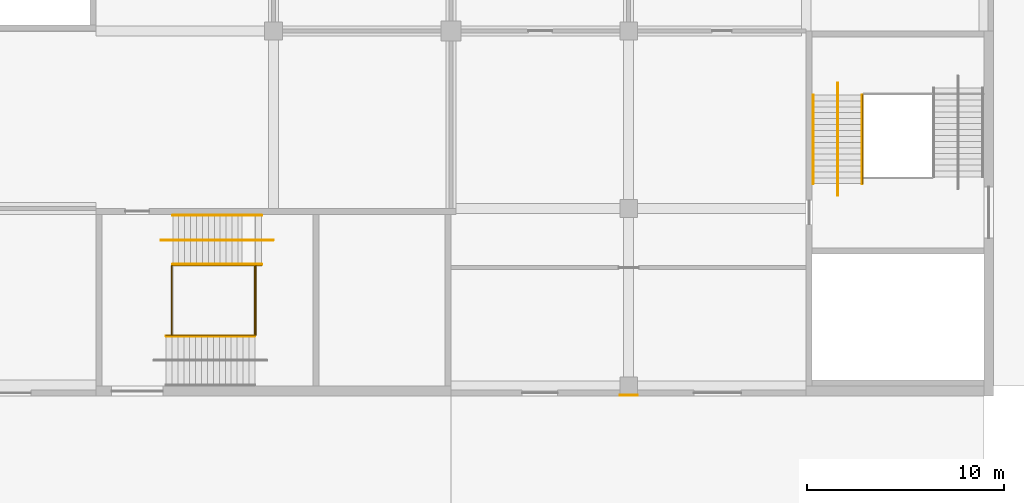
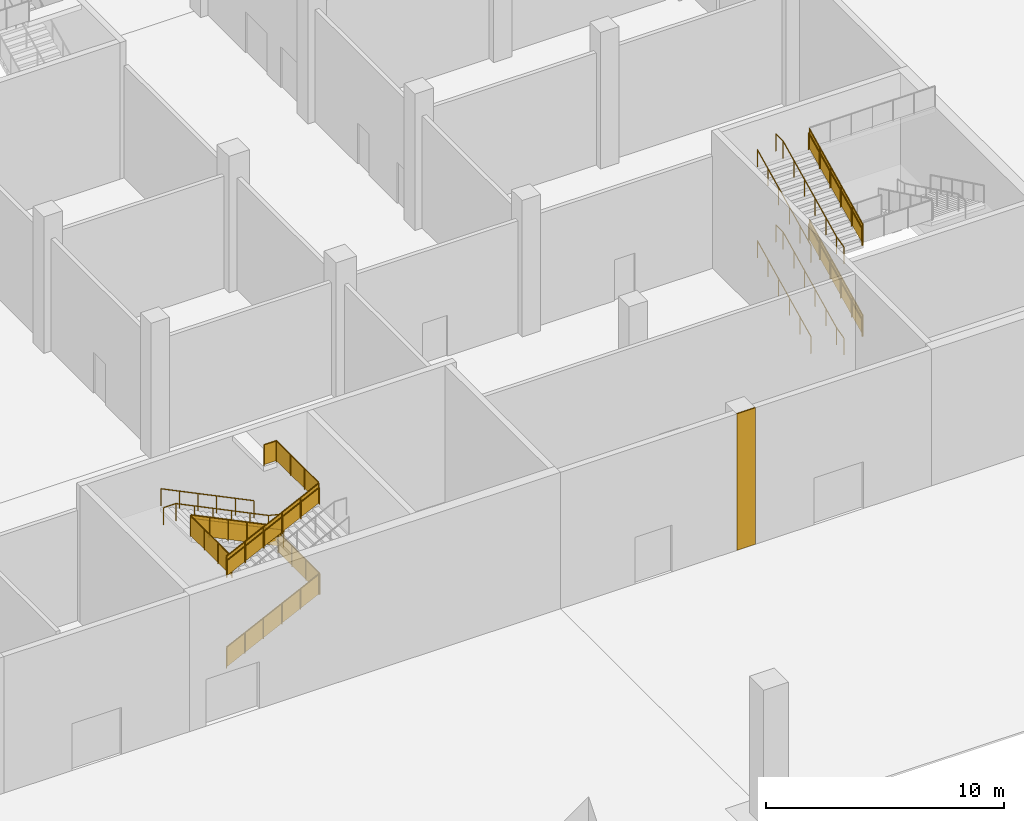
# One storey, part 73 of 92: 18 railings, 1 covering.
"""IFC4 building model written with IfcOpenShell, lengths in metres."""

from ifc_helpers import new_model, si_unit, direction, frame, origin, origin_2d, place, context, subcontext, project, spatial, polyline, circle, outline, extrude, material, layer, layer_set, type_object, element, save


model = new_model("IFC4")

# Units and contexts
model_context = context("Model", 3, precision=1e-05, world=origin(), true_north=direction((0.0, 1.0)))
body_context = subcontext(model_context, "Body", "Model", "MODEL_VIEW")
ifc_project = project(units=[si_unit("LENGTHUNIT", "METRE"), si_unit("AREAUNIT", "SQUARE_METRE"), si_unit("VOLUMEUNIT", "CUBIC_METRE"), si_unit("PLANEANGLEUNIT", "RADIAN"), si_unit("MASSUNIT", "GRAM", prefix="KILO")], contexts=[model_context])

# Site, building, storey
site_placement = place(None, origin())
site = spatial("IfcSite", under=ifc_project, at=site_placement, CompositionType="ELEMENT")
building_placement = place(site_placement, origin())
building = spatial("IfcBuilding", under=site, at=building_placement, Name="Silverbay Arena", CompositionType="ELEMENT")
storey_placement = place(building_placement, origin())
storey = spatial("IfcBuildingStorey", under=building, at=storey_placement, Name="L00", CompositionType="ELEMENT", Elevation=0.0)

# Covering
ifc_material_1 = material(Name="Aluminium composite cladding", Category="aluminium")
ifc_layer = layer(ifc_material_1, 0.050048828125)
ifc_layer_set = layer_set([ifc_layer], Name="Aluminium composite cladding")
covering_type = type_object("IfcCoveringType", Name="Column cladding 50", PredefinedType="CLADDING", material=ifc_layer_set)
covering_placement = place(storey_placement, origin())
element("IfcCovering", 1, at=covering_placement, inside=storey, type_object=covering_type, Name="South column cladding L00 61", PredefinedType="CLADDING", context=body_context, shape_type="SweptSolid", body=[
    extrude(outline(polyline([(215.550048828125, 17.5), (216.449951171875, 17.5), (216.449951171875, 17.550048828125), (215.550048828125, 17.550048828125), (215.550048828125, 17.5)])), origin(), (0.0, 0.0, 1.0), 7.0),
])

# Railings
ifc_material_2 = material(Name="Stainless steel", Category="steel")
railing_type_1 = type_object("IfcRailingType", Name="Stair guard 1100", PredefinedType="GUARDRAIL", material=ifc_material_2)
railing_1_placement = place(storey_placement, frame((192.556884765625, 20.574951171875, 0.145751953125)))
element("IfcRailing", 2, at=railing_1_placement, inside=storey, type_object=railing_type_1, Name="Stair ST-S6 L00 to L01 flight 1 guard left", PredefinedType="GUARDRAIL", context=body_context, shape_type="SweptSolid", body=[
    extrude(circle(Radius=0.02392578125, at=origin_2d()), frame((0.0, 0.0, 1.076171875), z_axis=(0.899367854138, 0.0, 0.437192706873), x_axis=(0.0, 1.0, 0.0)), (0.0, 0.0, 1.0), 5.00341796875),
    extrude(outline(polyline([(-0.008056640625, 0.046142578125), (0.907958984375, 0.491455078125), (0.907958984375, 1.494384765625), (-0.008056640625, 1.049072265625), (-0.008056640625, 0.046142578125)])), frame((0.0, 0.0029296875, 0.0), z_axis=(0.0, -1.0, 0.0), x_axis=(1.0, 0.0, 0.0)), (0.0, 0.0, 1.0), 0.006103515625),
    extrude(outline(polyline([(-0.008056640625, 0.483642578125), (0.907958984375, 0.928955078125), (0.907958984375, 1.931884765625), (-0.008056640625, 1.486572265625), (-0.008056640625, 0.483642578125)])), frame((0.89990234375, 0.0029296875, 0.0), z_axis=(0.0, -1.0, 0.0), x_axis=(1.0, 0.0, 0.0)), (0.0, 0.0, 1.0), 0.006103515625),
    extrude(outline(polyline([(-0.008056640625, 0.921142578125), (0.907958984375, 1.366455078125), (0.907958984375, 2.369384765625), (-0.008056640625, 1.924072265625), (-0.008056640625, 0.921142578125)])), frame((1.800048828125, 0.0029296875, 0.0), z_axis=(0.0, -1.0, 0.0), x_axis=(1.0, 0.0, 0.0)), (0.0, 0.0, 1.0), 0.006103515625),
    extrude(outline(polyline([(-0.008056640625, 1.358642578125), (0.907958984375, 1.803955078125), (0.907958984375, 2.806884765625), (-0.008056640625, 2.361572265625), (-0.008056640625, 1.358642578125)])), frame((2.699951171875, 0.0029296875, 0.0), z_axis=(0.0, -1.0, 0.0), x_axis=(1.0, 0.0, 0.0)), (0.0, 0.0, 1.0), 0.006103515625),
    extrude(outline(polyline([(-0.008056640625, 1.796142578125), (0.907958984375, 2.241455078125), (0.907958984375, 3.244384765625), (-0.008056640625, 2.799072265625), (-0.008056640625, 1.796142578125)])), frame((3.60009765625, 0.0029296875, 0.0), z_axis=(0.0, -1.0, 0.0), x_axis=(1.0, 0.0, 0.0)), (0.0, 0.0, 1.0), 0.006103515625),
    extrude(circle(Radius=0.02099609375, at=origin_2d()), origin(), (0.0, 0.0, 1.0), 1.052001953125),
    extrude(circle(Radius=0.02099609375, at=origin_2d()), frame((0.89990234375, 0.0, 0.4375)), (0.0, 0.0, 1.0), 1.052001953125),
    extrude(circle(Radius=0.02099609375, at=origin_2d()), frame((1.800048828125, 0.0, 0.875)), (0.0, 0.0, 1.0), 1.052001953125),
    extrude(circle(Radius=0.02099609375, at=origin_2d()), frame((2.699951171875, 0.0, 1.3125)), (0.0, 0.0, 1.0), 1.052001953125),
    extrude(circle(Radius=0.02099609375, at=origin_2d()), frame((3.60009765625, 0.0, 1.75)), (0.0, 0.0, 1.0), 1.052001953125),
    extrude(circle(Radius=0.02099609375, at=origin_2d()), frame((4.5, 0.0, 2.1875)), (0.0, 0.0, 1.0), 1.052001953125),
])
railing_2_placement = place(storey_placement, frame((197.39990234375, 24.125, 2.479248046875)))
element("IfcRailing", 3, at=railing_2_placement, inside=storey, type_object=railing_type_1, Name="Stair ST-S6 L00 to L01 flight 2 guard right", PredefinedType="GUARDRAIL", context=body_context, shape_type="SweptSolid", body=[
    extrude(circle(Radius=0.02392578125, at=origin_2d()), frame((0.0, 0.0, 1.076171875), z_axis=(-0.899367854138, 0.0, 0.437192706873), x_axis=(0.0, -1.0, 0.0)), (0.0, 0.0, 1.0), 5.00341796875),
    extrude(outline(polyline([(-0.008056640625, 0.046142578125), (0.907958984375, 0.491455078125), (0.907958984375, 1.494384765625), (-0.008056640625, 1.049072265625), (-0.008056640625, 0.046142578125)])), frame((0.0, -0.0029296875, 0.0), z_axis=(0.0, 1.0, 0.0), x_axis=(-1.0, 0.0, 0.0)), (0.0, 0.0, 1.0), 0.006103515625),
    extrude(outline(polyline([(-0.008056640625, 0.483642578125), (0.907958984375, 0.928955078125), (0.907958984375, 1.931884765625), (-0.008056640625, 1.486572265625), (-0.008056640625, 0.483642578125)])), frame((-0.89990234375, -0.0029296875, 0.0), z_axis=(0.0, 1.0, 0.0), x_axis=(-1.0, 0.0, 0.0)), (0.0, 0.0, 1.0), 0.006103515625),
    extrude(outline(polyline([(-0.008056640625, 0.921142578125), (0.907958984375, 1.366455078125), (0.907958984375, 2.369384765625), (-0.008056640625, 1.924072265625), (-0.008056640625, 0.921142578125)])), frame((-1.800048828125, -0.0029296875, 0.0), z_axis=(0.0, 1.0, 0.0), x_axis=(-1.0, 0.0, 0.0)), (0.0, 0.0, 1.0), 0.006103515625),
    extrude(outline(polyline([(-0.008056640625, 1.358642578125), (0.907958984375, 1.803955078125), (0.907958984375, 2.806884765625), (-0.008056640625, 2.361572265625), (-0.008056640625, 1.358642578125)])), frame((-2.699951171875, -0.0029296875, 0.0), z_axis=(0.0, 1.0, 0.0), x_axis=(-1.0, 0.0, 0.0)), (0.0, 0.0, 1.0), 0.006103515625),
    extrude(outline(polyline([(-0.008056640625, 1.796142578125), (0.907958984375, 2.241455078125), (0.907958984375, 3.244384765625), (-0.008056640625, 2.799072265625), (-0.008056640625, 1.796142578125)])), frame((-3.60009765625, -0.0029296875, 0.0), z_axis=(0.0, 1.0, 0.0), x_axis=(-1.0, 0.0, 0.0)), (0.0, 0.0, 1.0), 0.006103515625),
    extrude(circle(Radius=0.02099609375, at=origin_2d()), origin(), (0.0, 0.0, 1.0), 1.052001953125),
    extrude(circle(Radius=0.02099609375, at=origin_2d()), frame((-0.89990234375, 0.0, 0.4375)), (0.0, 0.0, 1.0), 1.052001953125),
    extrude(circle(Radius=0.02099609375, at=origin_2d()), frame((-1.800048828125, 0.0, 0.875)), (0.0, 0.0, 1.0), 1.052001953125),
    extrude(circle(Radius=0.02099609375, at=origin_2d()), frame((-2.699951171875, 0.0, 1.3125)), (0.0, 0.0, 1.0), 1.052001953125),
    extrude(circle(Radius=0.02099609375, at=origin_2d()), frame((-3.60009765625, 0.0, 1.75)), (0.0, 0.0, 1.0), 1.052001953125),
    extrude(circle(Radius=0.02099609375, at=origin_2d()), frame((-4.5, 0.0, 2.1875)), (0.0, 0.0, 1.0), 1.052001953125),
])
railing_3_placement = place(storey_placement, frame((192.556884765625, 20.574951171875, 4.8125)))
element("IfcRailing", 4, at=railing_3_placement, inside=storey, type_object=railing_type_1, Name="Stair ST-S6 L00 to L01 flight 3 guard left", PredefinedType="GUARDRAIL", context=body_context, shape_type="SweptSolid", body=[
    extrude(circle(Radius=0.02392578125, at=origin_2d()), frame((0.0, 0.0, 1.076171875), z_axis=(0.899367854138, 0.0, 0.437192706873), x_axis=(0.0, 1.0, 0.0)), (0.0, 0.0, 1.0), 5.00341796875),
    extrude(outline(polyline([(-0.008056640625, 0.046142578125), (0.907958984375, 0.491455078125), (0.907958984375, 1.494384765625), (-0.008056640625, 1.049072265625), (-0.008056640625, 0.046142578125)])), frame((0.0, 0.0029296875, 0.0), z_axis=(0.0, -1.0, 0.0), x_axis=(1.0, 0.0, 0.0)), (0.0, 0.0, 1.0), 0.006103515625),
    extrude(outline(polyline([(-0.008056640625, 0.483642578125), (0.907958984375, 0.928955078125), (0.907958984375, 1.931884765625), (-0.008056640625, 1.486572265625), (-0.008056640625, 0.483642578125)])), frame((0.89990234375, 0.0029296875, 0.0), z_axis=(0.0, -1.0, 0.0), x_axis=(1.0, 0.0, 0.0)), (0.0, 0.0, 1.0), 0.006103515625),
    extrude(outline(polyline([(-0.008056640625, 0.921142578125), (0.907958984375, 1.366455078125), (0.907958984375, 2.369384765625), (-0.008056640625, 1.924072265625), (-0.008056640625, 0.921142578125)])), frame((1.800048828125, 0.0029296875, 0.0), z_axis=(0.0, -1.0, 0.0), x_axis=(1.0, 0.0, 0.0)), (0.0, 0.0, 1.0), 0.006103515625),
    extrude(outline(polyline([(-0.008056640625, 1.358642578125), (0.907958984375, 1.803955078125), (0.907958984375, 2.806884765625), (-0.008056640625, 2.361572265625), (-0.008056640625, 1.358642578125)])), frame((2.699951171875, 0.0029296875, 0.0), z_axis=(0.0, -1.0, 0.0), x_axis=(1.0, 0.0, 0.0)), (0.0, 0.0, 1.0), 0.006103515625),
    extrude(outline(polyline([(-0.008056640625, 1.796142578125), (0.907958984375, 2.241455078125), (0.907958984375, 3.244384765625), (-0.008056640625, 2.799072265625), (-0.008056640625, 1.796142578125)])), frame((3.60009765625, 0.0029296875, 0.0), z_axis=(0.0, -1.0, 0.0), x_axis=(1.0, 0.0, 0.0)), (0.0, 0.0, 1.0), 0.006103515625),
    extrude(circle(Radius=0.02099609375, at=origin_2d()), origin(), (0.0, 0.0, 1.0), 1.052001953125),
    extrude(circle(Radius=0.02099609375, at=origin_2d()), frame((0.89990234375, 0.0, 0.4375)), (0.0, 0.0, 1.0), 1.052001953125),
    extrude(circle(Radius=0.02099609375, at=origin_2d()), frame((1.800048828125, 0.0, 0.875)), (0.0, 0.0, 1.0), 1.052001953125),
    extrude(circle(Radius=0.02099609375, at=origin_2d()), frame((2.699951171875, 0.0, 1.3125)), (0.0, 0.0, 1.0), 1.052001953125),
    extrude(circle(Radius=0.02099609375, at=origin_2d()), frame((3.60009765625, 0.0, 1.75)), (0.0, 0.0, 1.0), 1.052001953125),
    extrude(circle(Radius=0.02099609375, at=origin_2d()), frame((4.5, 0.0, 2.1875)), (0.0, 0.0, 1.0), 1.052001953125),
])
for number, where, name in (
    (5, (197.10693359375, 24.10009765625, 2.333251953125), "Stair ST-S6 L00 to L01 landing 1 guard"),
    (6, (192.85009765625, 24.10009765625, 4.666748046875), "Stair ST-S6 L00 to L01 landing 2 guard"),
):
    element("IfcRailing", number, at=place(storey_placement, frame(where)), inside=storey, type_object=railing_type_1, Name=name, PredefinedType="GUARDRAIL", context=body_context, shape_type="SweptSolid", body=[
        extrude(circle(Radius=0.02392578125, at=origin_2d()), frame((0.0, 0.0, 1.076171875), z_axis=(0.0, -1.0, 0.0), x_axis=(1.0, 0.0, 0.0)), (0.0, 0.0, 1.0), 3.5),
        extrude(outline(polyline([(-0.008056640625, 0.050048828125), (1.174560546875, 0.050048828125), (1.174560546875, 1.052978515625), (-0.008056640625, 1.052978515625), (-0.008056640625, 0.050048828125)])), frame((0.0029296875, 0.0, 0.0), z_axis=(-1.0, 0.0, 0.0), x_axis=(0.0, -1.0, 0.0)), (0.0, 0.0, 1.0), 0.006103515625),
        extrude(outline(polyline([(-0.008056640625, 0.050048828125), (1.174560546875, 0.050048828125), (1.174560546875, 1.052978515625), (-0.008056640625, 1.052978515625), (-0.008056640625, 0.050048828125)])), frame((0.0029296875, -1.166748046875, 0.0), z_axis=(-1.0, 0.0, 0.0), x_axis=(0.0, -1.0, 0.0)), (0.0, 0.0, 1.0), 0.006103515625),
        extrude(outline(polyline([(-0.008056640625, 0.050048828125), (1.174560546875, 0.050048828125), (1.174560546875, 1.052978515625), (-0.008056640625, 1.052978515625), (-0.008056640625, 0.050048828125)])), frame((0.0029296875, -2.333251953125, 0.0), z_axis=(-1.0, 0.0, 0.0), x_axis=(0.0, -1.0, 0.0)), (0.0, 0.0, 1.0), 0.006103515625),
        extrude(circle(Radius=0.02099609375, at=origin_2d()), origin(), (0.0, 0.0, 1.0), 1.052001953125),
        extrude(circle(Radius=0.02099609375, at=origin_2d()), frame((0.0, -1.166748046875, 0.0)), (0.0, 0.0, 1.0), 1.052001953125),
        extrude(circle(Radius=0.02099609375, at=origin_2d()), frame((0.0, -2.333251953125, 0.0)), (0.0, 0.0, 1.0), 1.052001953125),
        extrude(circle(Radius=0.02099609375, at=origin_2d()), frame((0.0, -3.5, 0.0)), (0.0, 0.0, 1.0), 1.052001953125),
    ])
railing_4_placement = place(storey_placement, frame((196.449951171875, 24.14990234375, 7.0)))
element("IfcRailing", 7, at=railing_4_placement, inside=storey, type_object=railing_type_1, Name="Stair ST-S6 L00 to L01 landing 3 guard", PredefinedType="GUARDRAIL", context=body_context, shape_type="SweptSolid", body=[
    extrude(circle(Radius=0.02392578125, at=origin_2d()), frame((0.0, 0.0, 1.076171875), z_axis=(1.0, 0.0, 0.0), x_axis=(0.0, 1.0, 0.0)), (0.0, 0.0, 1.0), 0.60693359375),
    extrude(outline(polyline([(-0.008056640625, 0.050048828125), (0.614990234375, 0.050048828125), (0.614990234375, 1.052978515625), (-0.008056640625, 1.052978515625), (-0.008056640625, 0.050048828125)])), frame((0.0, 0.0029296875, 0.0), z_axis=(0.0, -1.0, 0.0), x_axis=(1.0, 0.0, 0.0)), (0.0, 0.0, 1.0), 0.006103515625),
    extrude(circle(Radius=0.02392578125, at=origin_2d()), frame((0.60693359375, 0.0, 1.076171875), z_axis=(0.0, -1.0, 0.0), x_axis=(1.0, 0.0, 0.0)), (0.0, 0.0, 1.0), 3.5498046875),
    extrude(outline(polyline([(-0.008056640625, 0.050048828125), (1.191162109375, 0.050048828125), (1.191162109375, 1.052978515625), (-0.008056640625, 1.052978515625), (-0.008056640625, 0.050048828125)])), frame((0.60986328125, 0.0, 0.0), z_axis=(-1.0, 0.0, 0.0), x_axis=(0.0, -1.0, 0.0)), (0.0, 0.0, 1.0), 0.006103515625),
    extrude(outline(polyline([(-0.008056640625, 0.050048828125), (1.191162109375, 0.050048828125), (1.191162109375, 1.052978515625), (-0.008056640625, 1.052978515625), (-0.008056640625, 0.050048828125)])), frame((0.60986328125, -1.183349609375, 0.0), z_axis=(-1.0, 0.0, 0.0), x_axis=(0.0, -1.0, 0.0)), (0.0, 0.0, 1.0), 0.006103515625),
    extrude(outline(polyline([(-0.008056640625, 0.050048828125), (1.191162109375, 0.050048828125), (1.191162109375, 1.052978515625), (-0.008056640625, 1.052978515625), (-0.008056640625, 0.050048828125)])), frame((0.60986328125, -2.366455078125, 0.0), z_axis=(-1.0, 0.0, 0.0), x_axis=(0.0, -1.0, 0.0)), (0.0, 0.0, 1.0), 0.006103515625),
    extrude(circle(Radius=0.02099609375, at=origin_2d()), origin(), (0.0, 0.0, 1.0), 1.052001953125),
    extrude(circle(Radius=0.02099609375, at=origin_2d()), frame((0.60693359375, 0.0, 0.0)), (0.0, 0.0, 1.0), 1.052001953125),
    extrude(circle(Radius=0.02099609375, at=origin_2d()), frame((0.60693359375, -1.183349609375, 0.0)), (0.0, 0.0, 1.0), 1.052001953125),
    extrude(circle(Radius=0.02099609375, at=origin_2d()), frame((0.60693359375, -2.366455078125, 0.0)), (0.0, 0.0, 1.0), 1.052001953125),
    extrude(circle(Radius=0.02099609375, at=origin_2d()), frame((0.60693359375, -3.5498046875, 0.0)), (0.0, 0.0, 1.0), 1.052001953125),
])
railing_5_placement = place(storey_placement, frame((227.875, 28.2568359375, 0.145751953125)))
element("IfcRailing", 8, at=railing_5_placement, inside=storey, type_object=railing_type_1, Name="Stair ST-EG1 L00 to L01 flight 1 guard right", PredefinedType="GUARDRAIL", context=body_context, shape_type="SweptSolid", body=[
    extrude(circle(Radius=0.02392578125, at=origin_2d()), frame((0.0, 0.0, 1.076171875), z_axis=(0.0, 0.899367854138, 0.437192706873), x_axis=(-1.0, 0.0, 0.0)), (0.0, 0.0, 1.0), 5.00341796875),
    extrude(outline(polyline([(-0.008056640625, 0.046142578125), (0.907958984375, 0.491455078125), (0.907958984375, 1.494384765625), (-0.008056640625, 1.049072265625), (-0.008056640625, 0.046142578125)])), frame((-0.0029296875, 0.0, 0.0), z_axis=(1.0, 0.0, 0.0), x_axis=(0.0, 1.0, 0.0)), (0.0, 0.0, 1.0), 0.006103515625),
    extrude(outline(polyline([(-0.008056640625, 0.483642578125), (0.907958984375, 0.928955078125), (0.907958984375, 1.931884765625), (-0.008056640625, 1.486572265625), (-0.008056640625, 0.483642578125)])), frame((-0.0029296875, 0.89990234375, 0.0), z_axis=(1.0, 0.0, 0.0), x_axis=(0.0, 1.0, 0.0)), (0.0, 0.0, 1.0), 0.006103515625),
    extrude(outline(polyline([(-0.008056640625, 0.921142578125), (0.907958984375, 1.366455078125), (0.907958984375, 2.369384765625), (-0.008056640625, 1.924072265625), (-0.008056640625, 0.921142578125)])), frame((-0.0029296875, 1.800048828125, 0.0), z_axis=(1.0, 0.0, 0.0), x_axis=(0.0, 1.0, 0.0)), (0.0, 0.0, 1.0), 0.006103515625),
    extrude(outline(polyline([(-0.008056640625, 1.358642578125), (0.907958984375, 1.803955078125), (0.907958984375, 2.806884765625), (-0.008056640625, 2.361572265625), (-0.008056640625, 1.358642578125)])), frame((-0.0029296875, 2.699951171875, 0.0), z_axis=(1.0, 0.0, 0.0), x_axis=(0.0, 1.0, 0.0)), (0.0, 0.0, 1.0), 0.006103515625),
    extrude(outline(polyline([(-0.008056640625, 1.796142578125), (0.907958984375, 2.241455078125), (0.907958984375, 3.244384765625), (-0.008056640625, 2.799072265625), (-0.008056640625, 1.796142578125)])), frame((-0.0029296875, 3.60009765625, 0.0), z_axis=(1.0, 0.0, 0.0), x_axis=(0.0, 1.0, 0.0)), (0.0, 0.0, 1.0), 0.006103515625),
    extrude(circle(Radius=0.02099609375, at=origin_2d()), origin(), (0.0, 0.0, 1.0), 1.052001953125),
    extrude(circle(Radius=0.02099609375, at=origin_2d()), frame((0.0, 0.89990234375, 0.4375)), (0.0, 0.0, 1.0), 1.052001953125),
    extrude(circle(Radius=0.02099609375, at=origin_2d()), frame((0.0, 1.800048828125, 0.875)), (0.0, 0.0, 1.0), 1.052001953125),
    extrude(circle(Radius=0.02099609375, at=origin_2d()), frame((0.0, 2.699951171875, 1.3125)), (0.0, 0.0, 1.0), 1.052001953125),
    extrude(circle(Radius=0.02099609375, at=origin_2d()), frame((0.0, 3.60009765625, 1.75)), (0.0, 0.0, 1.0), 1.052001953125),
    extrude(circle(Radius=0.02099609375, at=origin_2d()), frame((0.0, 4.5, 2.1875)), (0.0, 0.0, 1.0), 1.052001953125),
])
railing_6_placement = place(storey_placement, frame((227.875, 28.2568359375, 4.8125)))
element("IfcRailing", 9, at=railing_6_placement, inside=storey, type_object=railing_type_1, Name="Stair ST-EG1 L00 to L01 flight 3 guard right", PredefinedType="GUARDRAIL", context=body_context, shape_type="SweptSolid", body=[
    extrude(circle(Radius=0.02392578125, at=origin_2d()), frame((0.0, 0.0, 1.076171875), z_axis=(0.0, 0.899367854138, 0.437192706873), x_axis=(-1.0, 0.0, 0.0)), (0.0, 0.0, 1.0), 5.00341796875),
    extrude(outline(polyline([(-0.008056640625, 0.046142578125), (0.907958984375, 0.491455078125), (0.907958984375, 1.494384765625), (-0.008056640625, 1.049072265625), (-0.008056640625, 0.046142578125)])), frame((-0.0029296875, 0.0, 0.0), z_axis=(1.0, 0.0, 0.0), x_axis=(0.0, 1.0, 0.0)), (0.0, 0.0, 1.0), 0.006103515625),
    extrude(outline(polyline([(-0.008056640625, 0.483642578125), (0.907958984375, 0.928955078125), (0.907958984375, 1.931884765625), (-0.008056640625, 1.486572265625), (-0.008056640625, 0.483642578125)])), frame((-0.0029296875, 0.89990234375, 0.0), z_axis=(1.0, 0.0, 0.0), x_axis=(0.0, 1.0, 0.0)), (0.0, 0.0, 1.0), 0.006103515625),
    extrude(outline(polyline([(-0.008056640625, 0.921142578125), (0.907958984375, 1.366455078125), (0.907958984375, 2.369384765625), (-0.008056640625, 1.924072265625), (-0.008056640625, 0.921142578125)])), frame((-0.0029296875, 1.800048828125, 0.0), z_axis=(1.0, 0.0, 0.0), x_axis=(0.0, 1.0, 0.0)), (0.0, 0.0, 1.0), 0.006103515625),
    extrude(outline(polyline([(-0.008056640625, 1.358642578125), (0.907958984375, 1.803955078125), (0.907958984375, 2.806884765625), (-0.008056640625, 2.361572265625), (-0.008056640625, 1.358642578125)])), frame((-0.0029296875, 2.699951171875, 0.0), z_axis=(1.0, 0.0, 0.0), x_axis=(0.0, 1.0, 0.0)), (0.0, 0.0, 1.0), 0.006103515625),
    extrude(outline(polyline([(-0.008056640625, 1.796142578125), (0.907958984375, 2.241455078125), (0.907958984375, 3.244384765625), (-0.008056640625, 2.799072265625), (-0.008056640625, 1.796142578125)])), frame((-0.0029296875, 3.60009765625, 0.0), z_axis=(1.0, 0.0, 0.0), x_axis=(0.0, 1.0, 0.0)), (0.0, 0.0, 1.0), 0.006103515625),
    extrude(circle(Radius=0.02099609375, at=origin_2d()), origin(), (0.0, 0.0, 1.0), 1.052001953125),
    extrude(circle(Radius=0.02099609375, at=origin_2d()), frame((0.0, 0.89990234375, 0.4375)), (0.0, 0.0, 1.0), 1.052001953125),
    extrude(circle(Radius=0.02099609375, at=origin_2d()), frame((0.0, 1.800048828125, 0.875)), (0.0, 0.0, 1.0), 1.052001953125),
    extrude(circle(Radius=0.02099609375, at=origin_2d()), frame((0.0, 2.699951171875, 1.3125)), (0.0, 0.0, 1.0), 1.052001953125),
    extrude(circle(Radius=0.02099609375, at=origin_2d()), frame((0.0, 3.60009765625, 1.75)), (0.0, 0.0, 1.0), 1.052001953125),
    extrude(circle(Radius=0.02099609375, at=origin_2d()), frame((0.0, 4.5, 2.1875)), (0.0, 0.0, 1.0), 1.052001953125),
])
ifc_material_3 = material(Name="Stainless steel", Category="steel")
railing_type_2 = type_object("IfcRailingType", Name="Stair handrail 900", PredefinedType="HANDRAIL", material=ifc_material_3)
for number, where, name in (
    (10, (197.39990234375, 26.64990234375, 2.479248046875), "Stair ST-S6 L00 to L01 flight 2 handrail left"),
    (11, (197.39990234375, 24.1640625, 2.479248046875), "Stair ST-S6 L00 to L01 flight 2 handrail right"),
):
    element("IfcRailing", number, at=place(storey_placement, frame(where)), inside=storey, type_object=railing_type_2, Name=name, PredefinedType="HANDRAIL", context=body_context, shape_type="SweptSolid", body=[
        extrude(circle(Radius=0.02392578125, at=origin_2d()), frame((0.0, 0.0, 0.8759765625), z_axis=(-0.899367854138, 0.0, 0.437192706873), x_axis=(0.0, -1.0, 0.0)), (0.0, 0.0, 1.0), 5.00341796875),
        extrude(circle(Radius=0.02099609375, at=origin_2d()), origin(), (0.0, 0.0, 1.0), 0.851806640625),
        extrude(circle(Radius=0.02099609375, at=origin_2d()), frame((-0.89990234375, 0.0, 0.4375)), (0.0, 0.0, 1.0), 0.851806640625),
        extrude(circle(Radius=0.02099609375, at=origin_2d()), frame((-1.800048828125, 0.0, 0.875)), (0.0, 0.0, 1.0), 0.851806640625),
        extrude(circle(Radius=0.02099609375, at=origin_2d()), frame((-2.699951171875, 0.0, 1.3125)), (0.0, 0.0, 1.0), 0.851806640625),
        extrude(circle(Radius=0.02099609375, at=origin_2d()), frame((-3.60009765625, 0.0, 1.75)), (0.0, 0.0, 1.0), 0.851806640625),
        extrude(circle(Radius=0.02099609375, at=origin_2d()), frame((-4.5, 0.0, 2.1875)), (0.0, 0.0, 1.0), 0.851806640625),
    ])
railing_7_placement = place(storey_placement, frame((198.0, 25.39990234375, 2.333251953125)))
element("IfcRailing", 12, at=railing_7_placement, inside=storey, type_object=railing_type_2, Name="Stair ST-S6 L00 to L01 flight 2 central handrail", PredefinedType="HANDRAIL", context=body_context, shape_type="SweptSolid", body=[
    extrude(circle(Radius=0.02392578125, at=origin_2d()), frame((0.0, 0.0, 0.8759765625), z_axis=(-0.971657787874, 0.0, 0.236391927237), x_axis=(0.0, -1.0, 0.0)), (0.0, 0.0, 1.0), 0.61767578125),
    extrude(circle(Radius=0.02392578125, at=origin_2d()), frame((-0.60009765625, 0.0, 1.02197265625), z_axis=(-0.899367854138, 0.0, 0.437192706873), x_axis=(0.0, -1.0, 0.0)), (0.0, 0.0, 1.0), 5.00341796875),
    extrude(circle(Radius=0.02392578125, at=origin_2d()), frame((-5.10009765625, 0.0, 3.20947265625), z_axis=(-1.0, 0.0, 0.0), x_axis=(0.0, -1.0, 0.0)), (0.0, 0.0, 1.0), 0.599853515625),
    extrude(circle(Radius=0.02099609375, at=origin_2d()), origin(), (0.0, 0.0, 1.0), 0.851806640625),
    extrude(circle(Radius=0.02099609375, at=origin_2d()), frame((-0.60009765625, 0.0, 0.14599609375)), (0.0, 0.0, 1.0), 0.851806640625),
    extrude(circle(Radius=0.02099609375, at=origin_2d()), frame((-1.5, 0.0, 0.58349609375)), (0.0, 0.0, 1.0), 0.851806640625),
    extrude(circle(Radius=0.02099609375, at=origin_2d()), frame((-2.400146484375, 0.0, 1.02099609375)), (0.0, 0.0, 1.0), 0.851806640625),
    extrude(circle(Radius=0.02099609375, at=origin_2d()), frame((-3.300048828125, 0.0, 1.45849609375)), (0.0, 0.0, 1.0), 0.851806640625),
    extrude(circle(Radius=0.02099609375, at=origin_2d()), frame((-4.2001953125, 0.0, 1.89599609375)), (0.0, 0.0, 1.0), 0.851806640625),
    extrude(circle(Radius=0.02099609375, at=origin_2d()), frame((-5.10009765625, 0.0, 2.33349609375)), (0.0, 0.0, 1.0), 0.851806640625),
    extrude(circle(Radius=0.02099609375, at=origin_2d()), frame((-5.699951171875, 0.0, 2.33349609375)), (0.0, 0.0, 1.0), 0.851806640625),
])
railing_8_placement = place(storey_placement, frame((192.556884765625, 20.535888671875, 4.8125)))
element("IfcRailing", 13, at=railing_8_placement, inside=storey, type_object=railing_type_2, Name="Stair ST-S6 L00 to L01 flight 3 handrail left", PredefinedType="HANDRAIL", context=body_context, shape_type="SweptSolid", body=[
    extrude(circle(Radius=0.02392578125, at=origin_2d()), frame((0.0, 0.0, 0.8759765625), z_axis=(0.899367854138, 0.0, 0.437192706873), x_axis=(0.0, 1.0, 0.0)), (0.0, 0.0, 1.0), 5.00341796875),
    extrude(circle(Radius=0.02099609375, at=origin_2d()), origin(), (0.0, 0.0, 1.0), 0.851806640625),
    extrude(circle(Radius=0.02099609375, at=origin_2d()), frame((0.89990234375, 0.0, 0.4375)), (0.0, 0.0, 1.0), 0.851806640625),
    extrude(circle(Radius=0.02099609375, at=origin_2d()), frame((1.800048828125, 0.0, 0.875)), (0.0, 0.0, 1.0), 0.851806640625),
    extrude(circle(Radius=0.02099609375, at=origin_2d()), frame((2.699951171875, 0.0, 1.3125)), (0.0, 0.0, 1.0), 0.851806640625),
    extrude(circle(Radius=0.02099609375, at=origin_2d()), frame((3.60009765625, 0.0, 1.75)), (0.0, 0.0, 1.0), 0.851806640625),
    extrude(circle(Radius=0.02099609375, at=origin_2d()), frame((4.5, 0.0, 2.1875)), (0.0, 0.0, 1.0), 0.851806640625),
])
for number, where, name in (
    (14, (225.35009765625, 28.2568359375, 0.145751953125), "Stair ST-EG1 L00 to L01 flight 1 handrail left"),
    (15, (227.8359375, 28.2568359375, 0.145751953125), "Stair ST-EG1 L00 to L01 flight 1 handrail right"),
):
    element("IfcRailing", number, at=place(storey_placement, frame(where)), inside=storey, type_object=railing_type_2, Name=name, PredefinedType="HANDRAIL", context=body_context, shape_type="SweptSolid", body=[
        extrude(circle(Radius=0.02392578125, at=origin_2d()), frame((0.0, 0.0, 0.8759765625), z_axis=(0.0, 0.899367854138, 0.437192706873), x_axis=(-1.0, 0.0, 0.0)), (0.0, 0.0, 1.0), 5.00341796875),
        extrude(circle(Radius=0.02099609375, at=origin_2d()), origin(), (0.0, 0.0, 1.0), 0.851806640625),
        extrude(circle(Radius=0.02099609375, at=origin_2d()), frame((0.0, 0.89990234375, 0.4375)), (0.0, 0.0, 1.0), 0.851806640625),
        extrude(circle(Radius=0.02099609375, at=origin_2d()), frame((0.0, 1.800048828125, 0.875)), (0.0, 0.0, 1.0), 0.851806640625),
        extrude(circle(Radius=0.02099609375, at=origin_2d()), frame((0.0, 2.699951171875, 1.3125)), (0.0, 0.0, 1.0), 0.851806640625),
        extrude(circle(Radius=0.02099609375, at=origin_2d()), frame((0.0, 3.60009765625, 1.75)), (0.0, 0.0, 1.0), 0.851806640625),
        extrude(circle(Radius=0.02099609375, at=origin_2d()), frame((0.0, 4.5, 2.1875)), (0.0, 0.0, 1.0), 0.851806640625),
    ])
railing_9_placement = place(storey_placement, frame((226.60009765625, 27.656982421875, 0.0)))
element("IfcRailing", 16, at=railing_9_placement, inside=storey, type_object=railing_type_2, Name="Stair ST-EG1 L00 to L01 flight 1 central handrail", PredefinedType="HANDRAIL", context=body_context, shape_type="SweptSolid", body=[
    extrude(circle(Radius=0.02392578125, at=origin_2d()), frame((0.0, 0.0, 0.8759765625), z_axis=(0.0, 0.971726487806, 0.23610936639), x_axis=(-1.0, 0.0, 0.0)), (0.0, 0.0, 1.0), 0.6171875),
    extrude(circle(Radius=0.02392578125, at=origin_2d()), frame((0.0, 0.599853515625, 1.021484375), z_axis=(0.0, 0.899367854138, 0.437192706873), x_axis=(-1.0, 0.0, 0.0)), (0.0, 0.0, 1.0), 5.00341796875),
    extrude(circle(Radius=0.02392578125, at=origin_2d()), frame((0.0, 5.099853515625, 3.208984375), z_axis=(0.0, 1.0, 0.0), x_axis=(-1.0, 0.0, 0.0)), (0.0, 0.0, 1.0), 0.60009765625),
    extrude(circle(Radius=0.02099609375, at=origin_2d()), origin(), (0.0, 0.0, 1.0), 0.851806640625),
    extrude(circle(Radius=0.02099609375, at=origin_2d()), frame((0.0, 0.599853515625, 0.145751953125)), (0.0, 0.0, 1.0), 0.851806640625),
    extrude(circle(Radius=0.02099609375, at=origin_2d()), frame((0.0, 1.499755859375, 0.583251953125)), (0.0, 0.0, 1.0), 0.851806640625),
    extrude(circle(Radius=0.02099609375, at=origin_2d()), frame((0.0, 2.39990234375, 1.020751953125)), (0.0, 0.0, 1.0), 0.851806640625),
    extrude(circle(Radius=0.02099609375, at=origin_2d()), frame((0.0, 3.2998046875, 1.458251953125)), (0.0, 0.0, 1.0), 0.851806640625),
    extrude(circle(Radius=0.02099609375, at=origin_2d()), frame((0.0, 4.199951171875, 1.895751953125)), (0.0, 0.0, 1.0), 0.851806640625),
    extrude(circle(Radius=0.02099609375, at=origin_2d()), frame((0.0, 5.099853515625, 2.333251953125)), (0.0, 0.0, 1.0), 0.851806640625),
    extrude(circle(Radius=0.02099609375, at=origin_2d()), frame((0.0, 5.699951171875, 2.333251953125)), (0.0, 0.0, 1.0), 0.851806640625),
])
for number, where, name in (
    (17, (225.35009765625, 28.2568359375, 4.8125), "Stair ST-EG1 L00 to L01 flight 3 handrail left"),
    (18, (227.8359375, 28.2568359375, 4.8125), "Stair ST-EG1 L00 to L01 flight 3 handrail right"),
):
    element("IfcRailing", number, at=place(storey_placement, frame(where)), inside=storey, type_object=railing_type_2, Name=name, PredefinedType="HANDRAIL", context=body_context, shape_type="SweptSolid", body=[
        extrude(circle(Radius=0.02392578125, at=origin_2d()), frame((0.0, 0.0, 0.8759765625), z_axis=(0.0, 0.899367854138, 0.437192706873), x_axis=(-1.0, 0.0, 0.0)), (0.0, 0.0, 1.0), 5.00341796875),
        extrude(circle(Radius=0.02099609375, at=origin_2d()), origin(), (0.0, 0.0, 1.0), 0.851806640625),
        extrude(circle(Radius=0.02099609375, at=origin_2d()), frame((0.0, 0.89990234375, 0.4375)), (0.0, 0.0, 1.0), 0.851806640625),
        extrude(circle(Radius=0.02099609375, at=origin_2d()), frame((0.0, 1.800048828125, 0.875)), (0.0, 0.0, 1.0), 0.851806640625),
        extrude(circle(Radius=0.02099609375, at=origin_2d()), frame((0.0, 2.699951171875, 1.3125)), (0.0, 0.0, 1.0), 0.851806640625),
        extrude(circle(Radius=0.02099609375, at=origin_2d()), frame((0.0, 3.60009765625, 1.75)), (0.0, 0.0, 1.0), 0.851806640625),
        extrude(circle(Radius=0.02099609375, at=origin_2d()), frame((0.0, 4.5, 2.1875)), (0.0, 0.0, 1.0), 0.851806640625),
    ])
railing_10_placement = place(storey_placement, frame((226.60009765625, 27.656982421875, 4.666748046875)))
element("IfcRailing", 19, at=railing_10_placement, inside=storey, type_object=railing_type_2, Name="Stair ST-EG1 L00 to L01 flight 3 central handrail", PredefinedType="HANDRAIL", context=body_context, shape_type="SweptSolid", body=[
    extrude(circle(Radius=0.02392578125, at=origin_2d()), frame((0.0, 0.0, 0.8759765625), z_axis=(0.0, 0.971726487806, 0.23610936639), x_axis=(-1.0, 0.0, 0.0)), (0.0, 0.0, 1.0), 0.6171875),
    extrude(circle(Radius=0.02392578125, at=origin_2d()), frame((0.0, 0.599853515625, 1.021484375), z_axis=(0.0, 0.899367854138, 0.437192706873), x_axis=(-1.0, 0.0, 0.0)), (0.0, 0.0, 1.0), 5.00341796875),
    extrude(circle(Radius=0.02392578125, at=origin_2d()), frame((0.0, 5.099853515625, 3.208984375), z_axis=(0.0, 1.0, 0.0), x_axis=(-1.0, 0.0, 0.0)), (0.0, 0.0, 1.0), 0.60009765625),
    extrude(circle(Radius=0.02099609375, at=origin_2d()), origin(), (0.0, 0.0, 1.0), 0.851806640625),
    extrude(circle(Radius=0.02099609375, at=origin_2d()), frame((0.0, 0.599853515625, 0.145751953125)), (0.0, 0.0, 1.0), 0.851806640625),
    extrude(circle(Radius=0.02099609375, at=origin_2d()), frame((0.0, 1.499755859375, 0.583251953125)), (0.0, 0.0, 1.0), 0.851806640625),
    extrude(circle(Radius=0.02099609375, at=origin_2d()), frame((0.0, 2.39990234375, 1.020751953125)), (0.0, 0.0, 1.0), 0.851806640625),
    extrude(circle(Radius=0.02099609375, at=origin_2d()), frame((0.0, 3.2998046875, 1.458251953125)), (0.0, 0.0, 1.0), 0.851806640625),
    extrude(circle(Radius=0.02099609375, at=origin_2d()), frame((0.0, 4.199951171875, 1.895751953125)), (0.0, 0.0, 1.0), 0.851806640625),
    extrude(circle(Radius=0.02099609375, at=origin_2d()), frame((0.0, 5.099853515625, 2.333251953125)), (0.0, 0.0, 1.0), 0.851806640625),
    extrude(circle(Radius=0.02099609375, at=origin_2d()), frame((0.0, 5.699951171875, 2.333251953125)), (0.0, 0.0, 1.0), 0.851806640625),
])

save(model, "model.ifc")
